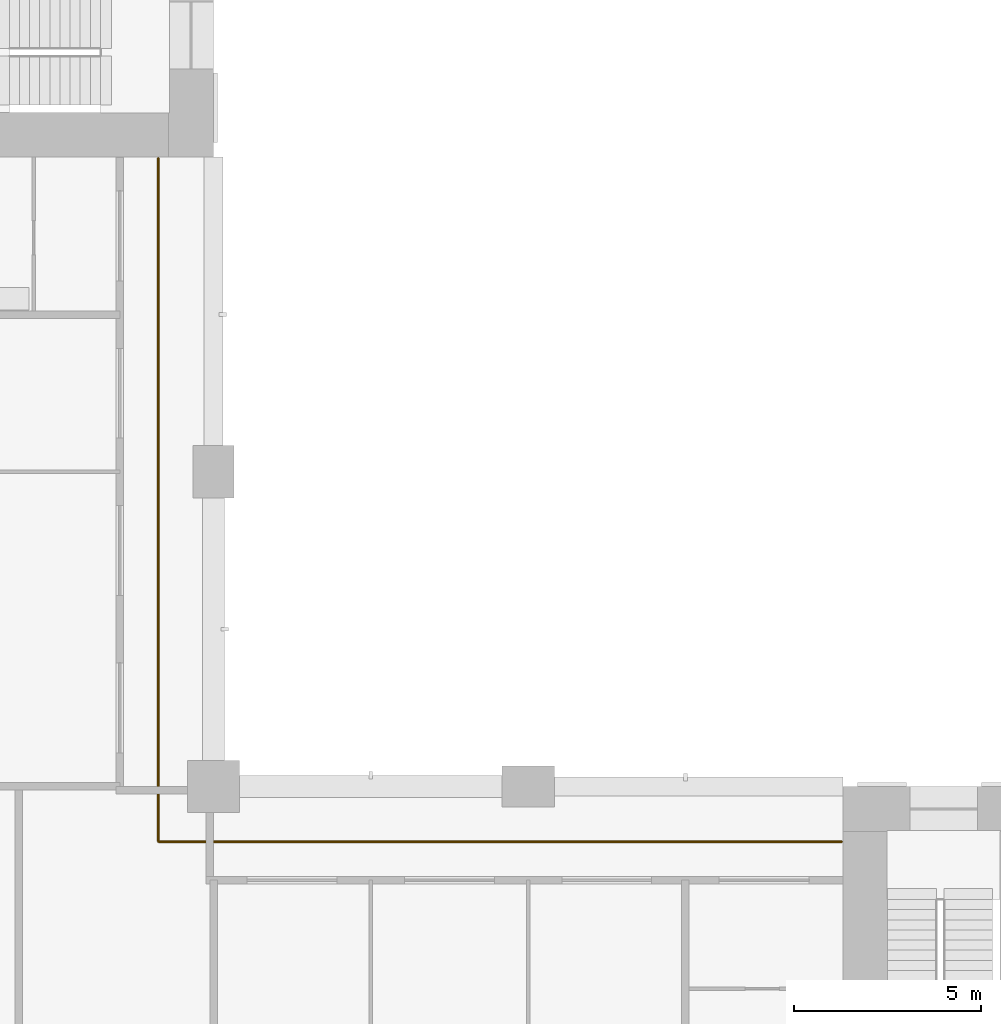
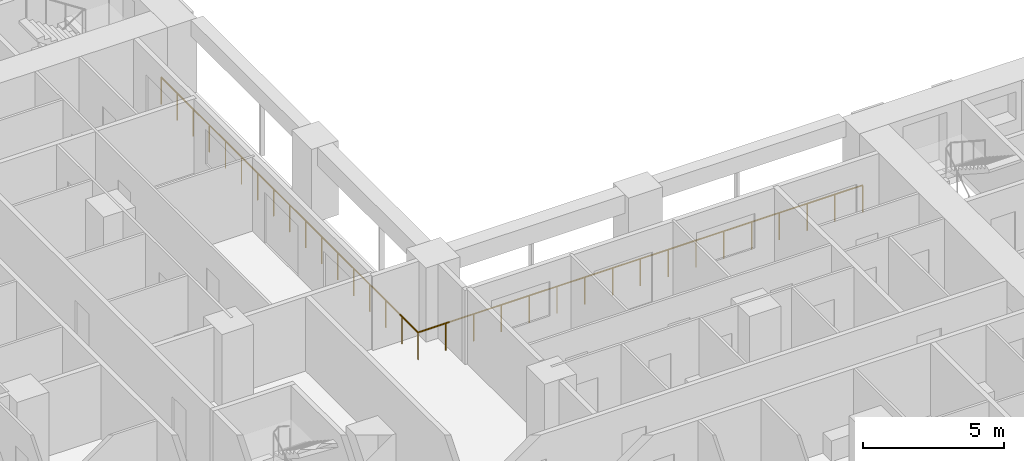
# One storey, part 17 of 19: 1 railing.
"""IFC4 building model written with IfcOpenShell, lengths in metres."""

from ifc_helpers import new_model, si_unit, direction, frame, origin, origin_2d, place, context, subcontext, project, spatial, circle, extrude, material, type_object, element, save


model = new_model("IFC4")

# Units and contexts
model_context = context("Model", 3, precision=1e-05, world=origin(), true_north=direction((0.0, 1.0)))
body_context = subcontext(model_context, "Body", "Model", "MODEL_VIEW")
ifc_project = project(units=[si_unit("LENGTHUNIT", "METRE"), si_unit("AREAUNIT", "SQUARE_METRE"), si_unit("VOLUMEUNIT", "CUBIC_METRE"), si_unit("PLANEANGLEUNIT", "RADIAN"), si_unit("MASSUNIT", "GRAM", prefix="KILO")], contexts=[model_context])

# Site, building, storey
site_placement = place(None, origin())
site = spatial("IfcSite", under=ifc_project, at=site_placement, CompositionType="ELEMENT")
building_placement = place(site_placement, origin())
building = spatial("IfcBuilding", under=site, at=building_placement, Name="Vermilion Gate Residences", CompositionType="ELEMENT")
storey_placement = place(building_placement, frame((0.0, 0.0, 53.199951171875)))
storey = spatial("IfcBuildingStorey", under=building, at=storey_placement, Name="L12", CompositionType="ELEMENT", Elevation=53.199951171875)

# Railing
ifc_material = material(Name="Stainless steel and toughened glass", Category="steel")
railing_type = type_object("IfcRailingType", Name="LOGGIA GUARD STEEL AND GLASS 1200", PredefinedType="GUARDRAIL", material=ifc_material)
railing_placement = place(storey_placement, frame((41.97802734375, 23.72509765625, 0.0)))
element("IfcRailing", 1, at=railing_placement, inside=storey, type_object=railing_type, Name="Loggia guard", PredefinedType="GUARDRAIL", context=body_context, shape_type="SweptSolid", body=[
    extrude(circle(Radius=0.030029296875, at=origin_2d()), frame((0.0, 0.0, 1.169921875), z_axis=(-1.0, 0.0, 0.0), x_axis=(0.0, -1.0, 0.0)), (0.0, 0.0, 1.0), 18.2529296875),
    extrude(circle(Radius=0.030029296875, at=origin_2d()), frame((-18.2529296875, 0.0, 1.169921875), z_axis=(0.0, 1.0, 0.0), x_axis=(-1.0, 0.0, 0.0)), (0.0, 0.0, 1.0), 18.2529296875),
    extrude(circle(Radius=0.02490234375, at=origin_2d()), origin(), (0.0, 0.0, 1.0), 1.139892578125),
    extrude(circle(Radius=0.02490234375, at=origin_2d()), frame((-1.140869140625, 0.0, 0.0)), (0.0, 0.0, 1.0), 1.139892578125),
    extrude(circle(Radius=0.02490234375, at=origin_2d()), frame((-2.28173828125, 0.0, 0.0)), (0.0, 0.0, 1.0), 1.139892578125),
    extrude(circle(Radius=0.02490234375, at=origin_2d()), frame((-3.42236328125, 0.0, 0.0)), (0.0, 0.0, 1.0), 1.139892578125),
    extrude(circle(Radius=0.02490234375, at=origin_2d()), frame((-4.563232421875, 0.0, 0.0)), (0.0, 0.0, 1.0), 1.139892578125),
    extrude(circle(Radius=0.02490234375, at=origin_2d()), frame((-5.7041015625, 0.0, 0.0)), (0.0, 0.0, 1.0), 1.139892578125),
    extrude(circle(Radius=0.02490234375, at=origin_2d()), frame((-6.8447265625, 0.0, 0.0)), (0.0, 0.0, 1.0), 1.139892578125),
    extrude(circle(Radius=0.02490234375, at=origin_2d()), frame((-7.985595703125, 0.0, 0.0)), (0.0, 0.0, 1.0), 1.139892578125),
    extrude(circle(Radius=0.02490234375, at=origin_2d()), frame((-9.12646484375, 0.0, 0.0)), (0.0, 0.0, 1.0), 1.139892578125),
    extrude(circle(Radius=0.02490234375, at=origin_2d()), frame((-10.267333984375, 0.0, 0.0)), (0.0, 0.0, 1.0), 1.139892578125),
    extrude(circle(Radius=0.02490234375, at=origin_2d()), frame((-11.408203125, 0.0, 0.0)), (0.0, 0.0, 1.0), 1.139892578125),
    extrude(circle(Radius=0.02490234375, at=origin_2d()), frame((-12.548828125, 0.0, 0.0)), (0.0, 0.0, 1.0), 1.139892578125),
    extrude(circle(Radius=0.02490234375, at=origin_2d()), frame((-13.689697265625, 0.0, 0.0)), (0.0, 0.0, 1.0), 1.139892578125),
    extrude(circle(Radius=0.02490234375, at=origin_2d()), frame((-14.83056640625, 0.0, 0.0)), (0.0, 0.0, 1.0), 1.139892578125),
    extrude(circle(Radius=0.02490234375, at=origin_2d()), frame((-15.97119140625, 0.0, 0.0)), (0.0, 0.0, 1.0), 1.139892578125),
    extrude(circle(Radius=0.02490234375, at=origin_2d()), frame((-17.112060546875, 0.0, 0.0)), (0.0, 0.0, 1.0), 1.139892578125),
    extrude(circle(Radius=0.02490234375, at=origin_2d()), frame((-18.2529296875, 0.0, 0.0)), (0.0, 0.0, 1.0), 1.139892578125),
    extrude(circle(Radius=0.02490234375, at=origin_2d()), frame((-18.2529296875, 1.140869140625, 0.0)), (0.0, 0.0, 1.0), 1.139892578125),
    extrude(circle(Radius=0.02490234375, at=origin_2d()), frame((-18.2529296875, 2.28173828125, 0.0)), (0.0, 0.0, 1.0), 1.139892578125),
    extrude(circle(Radius=0.02490234375, at=origin_2d()), frame((-18.2529296875, 3.42236328125, 0.0)), (0.0, 0.0, 1.0), 1.139892578125),
    extrude(circle(Radius=0.02490234375, at=origin_2d()), frame((-18.2529296875, 4.563232421875, 0.0)), (0.0, 0.0, 1.0), 1.139892578125),
    extrude(circle(Radius=0.02490234375, at=origin_2d()), frame((-18.2529296875, 5.7041015625, 0.0)), (0.0, 0.0, 1.0), 1.139892578125),
    extrude(circle(Radius=0.02490234375, at=origin_2d()), frame((-18.2529296875, 6.8447265625, 0.0)), (0.0, 0.0, 1.0), 1.139892578125),
    extrude(circle(Radius=0.02490234375, at=origin_2d()), frame((-18.2529296875, 7.985595703125, 0.0)), (0.0, 0.0, 1.0), 1.139892578125),
    extrude(circle(Radius=0.02490234375, at=origin_2d()), frame((-18.2529296875, 9.12646484375, 0.0)), (0.0, 0.0, 1.0), 1.139892578125),
    extrude(circle(Radius=0.02490234375, at=origin_2d()), frame((-18.2529296875, 10.267333984375, 0.0)), (0.0, 0.0, 1.0), 1.139892578125),
    extrude(circle(Radius=0.02490234375, at=origin_2d()), frame((-18.2529296875, 11.408203125, 0.0)), (0.0, 0.0, 1.0), 1.139892578125),
    extrude(circle(Radius=0.02490234375, at=origin_2d()), frame((-18.2529296875, 12.548828125, 0.0)), (0.0, 0.0, 1.0), 1.139892578125),
    extrude(circle(Radius=0.02490234375, at=origin_2d()), frame((-18.2529296875, 13.689697265625, 0.0)), (0.0, 0.0, 1.0), 1.139892578125),
    extrude(circle(Radius=0.02490234375, at=origin_2d()), frame((-18.2529296875, 14.83056640625, 0.0)), (0.0, 0.0, 1.0), 1.139892578125),
    extrude(circle(Radius=0.02490234375, at=origin_2d()), frame((-18.2529296875, 15.97119140625, 0.0)), (0.0, 0.0, 1.0), 1.139892578125),
    extrude(circle(Radius=0.02490234375, at=origin_2d()), frame((-18.2529296875, 17.112060546875, 0.0)), (0.0, 0.0, 1.0), 1.139892578125),
    extrude(circle(Radius=0.02490234375, at=origin_2d()), frame((-18.2529296875, 18.2529296875, 0.0)), (0.0, 0.0, 1.0), 1.139892578125),
])

save(model, "model.ifc")
